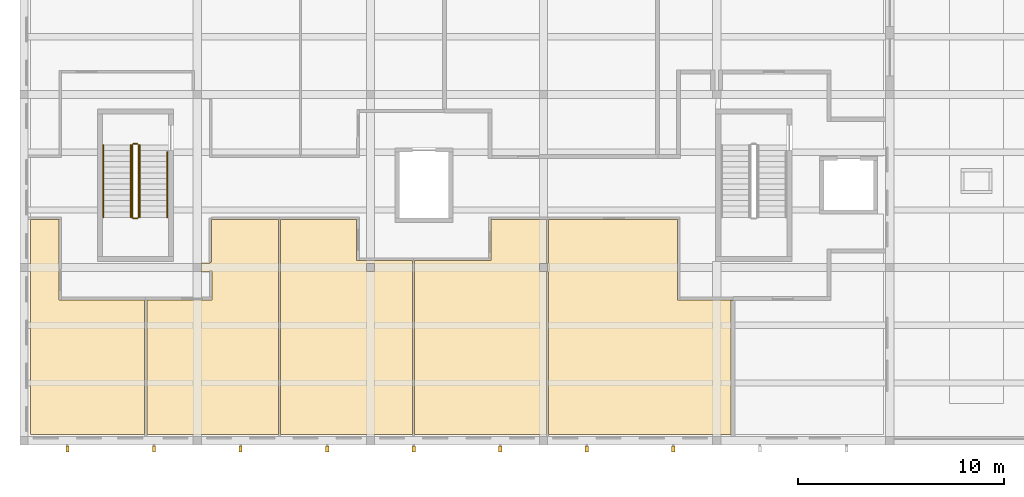
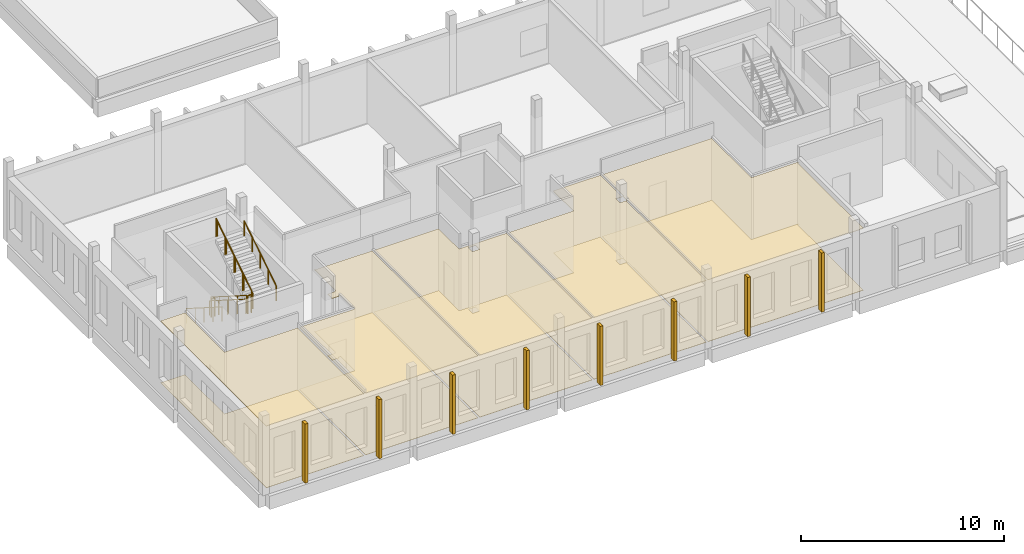
# One storey, part 57 of 79: 18 coverings, 8 railings.
"""IFC4 building model written with IfcOpenShell, lengths in metres."""

from ifc_helpers import new_model, si_unit, direction, frame, origin, origin_2d, place, context, subcontext, project, spatial, polyline, circle, outline, extrude, material, layer, layer_set, type_object, element, save


model = new_model("IFC4")

# Units and contexts
model_context = context("Model", 3, precision=1e-05, world=origin(), true_north=direction((0.0, 1.0)))
body_context = subcontext(model_context, "Body", "Model", "MODEL_VIEW")
ifc_project = project(units=[si_unit("LENGTHUNIT", "METRE"), si_unit("AREAUNIT", "SQUARE_METRE"), si_unit("VOLUMEUNIT", "CUBIC_METRE"), si_unit("PLANEANGLEUNIT", "RADIAN"), si_unit("MASSUNIT", "GRAM", prefix="KILO")], contexts=[model_context])

# Site, building, storey
site_placement = place(None, origin())
site = spatial("IfcSite", under=ifc_project, at=site_placement, CompositionType="ELEMENT")
building_placement = place(site_placement, origin())
building = spatial("IfcBuilding", under=site, at=building_placement, Name="Larchfold Concert Hall", CompositionType="ELEMENT")
storey_placement = place(building_placement, frame((0.0, 0.0, 14.39990234375)))
storey = spatial("IfcBuildingStorey", under=building, at=storey_placement, Name="L03", CompositionType="ELEMENT", Elevation=14.39990234375)

# Coverings
ifc_material_1 = material(Name="Plasterboard ceiling lining")
ifc_layer_1 = layer(ifc_material_1, 0.030029296875)
ifc_layer_set_1 = layer_set([ifc_layer_1], Name="Plasterboard ceiling lining")
covering_type_1 = type_object("IfcCoveringType", Name="Ceiling suspended plasterboard 30", PredefinedType="CEILING", material=ifc_layer_set_1)
covering_1_placement = place(storey_placement, frame((0.0, 0.0, 3.710205078125)))
element("IfcCovering", 1, at=covering_1_placement, inside=storey, type_object=covering_type_1, Name="Ceiling Administration Office 01", PredefinedType="CEILING", context=body_context, shape_type="SweptSolid", body=[
    extrude(outline(polyline([(0.900146484375, 0.900146484375), (6.449951171875, 0.900146484375), (6.449951171875, 7.4375), (2.28759765625, 7.4375), (2.28759765625, 11.33740234375), (0.900146484375, 11.33740234375), (0.900146484375, 0.900146484375)])), origin(), (0.0, 0.0, 1.0), 0.030029296875),
])
covering_2_placement = place(storey_placement, frame((0.0, 0.0, 3.710205078125)))
element("IfcCovering", 2, at=covering_2_placement, inside=storey, type_object=covering_type_1, Name="Ceiling Administration Office 03", PredefinedType="CEILING", context=body_context, shape_type="SweptSolid", body=[
    extrude(outline(polyline([(13.050048828125, 0.900146484375), (19.449951171875, 0.900146484375), (19.449951171875, 9.33740234375), (16.737548828125, 9.33740234375), (16.737548828125, 11.33740234375), (13.050048828125, 11.33740234375), (13.050048828125, 0.900146484375)]), holes=[polyline([(17.599853515625, 9.199951171875), (17.599853515625, 8.800048828125), (17.199951171875, 8.800048828125), (17.199951171875, 9.199951171875), (17.599853515625, 9.199951171875)])]), origin(), (0.0, 0.0, 1.0), 0.030029296875),
])
covering_3_placement = place(storey_placement, frame((0.0, 0.0, 3.710205078125)))
element("IfcCovering", 3, at=covering_3_placement, inside=storey, type_object=covering_type_1, Name="Ceiling Board Room", PredefinedType="CEILING", context=body_context, shape_type="SweptSolid", body=[
    extrude(outline(polyline([(26.0, 8.780029296875), (26.050048828125, 8.780029296875), (26.050048828125, 0.900146484375), (34.89990234375, 0.900146484375), (34.89990234375, 7.39990234375), (35.0, 7.39990234375), (35.0, 7.4375), (32.28759765625, 7.4375), (32.28759765625, 11.33740234375), (26.050048828125, 11.33740234375), (26.050048828125, 9.219970703125), (26.0, 9.219970703125), (26.0, 8.780029296875)])), origin(), (0.0, 0.0, 1.0), 0.030029296875),
])
covering_4_placement = place(storey_placement, frame((0.0, 0.0, 3.710205078125)))
element("IfcCovering", 4, at=covering_4_placement, inside=storey, type_object=covering_type_1, Name="Ceiling Administration Office 02", PredefinedType="CEILING", context=body_context, shape_type="SweptSolid", body=[
    extrude(outline(polyline([(6.550048828125, 0.900146484375), (12.949951171875, 0.900146484375), (12.949951171875, 11.33740234375), (9.68505859375, 11.33740234375), (9.6826171875, 11.39990234375), (9.6826171875, 9.282470703125), (9.61962890625, 9.282470703125), (9.61962890625, 9.219970703125), (9.198486328125, 9.219970703125), (9.167236328125, 9.207763671875), (9.16357421875, 9.199951171875), (9.199951171875, 9.199951171875), (9.199951171875, 8.800048828125), (9.161376953125, 8.800048828125), (9.193603515625, 8.780517578125), (9.58740234375, 8.780029296875), (9.58740234375, 8.842529296875), (9.71240234375, 8.842529296875), (9.71240234375, 7.4375), (6.550048828125, 7.4375), (6.550048828125, 0.900146484375)])), origin(), (0.0, 0.0, 1.0), 0.030029296875),
])
covering_5_placement = place(storey_placement, frame((0.0, 0.0, 3.710205078125)))
element("IfcCovering", 5, at=covering_5_placement, inside=storey, type_object=covering_type_1, Name="Ceiling Administration Office 04", PredefinedType="CEILING", context=body_context, shape_type="SweptSolid", body=[
    extrude(outline(polyline([(26.0, 9.199951171875), (26.0, 9.219970703125), (25.949951171875, 9.219970703125), (25.949951171875, 11.33740234375), (23.262451171875, 11.33740234375), (23.262451171875, 9.33740234375), (19.550048828125, 9.33740234375), (19.550048828125, 0.900146484375), (25.949951171875, 0.900146484375), (25.949951171875, 8.780029296875), (26.0, 8.780029296875), (26.0, 8.800048828125), (25.60009765625, 8.800048828125), (25.60009765625, 9.199951171875), (26.0, 9.199951171875)])), origin(), (0.0, 0.0, 1.0), 0.030029296875),
])
ifc_material_2 = material(Name="Linoleum sheet")
ifc_layer_2 = layer(ifc_material_2, 0.02001953125)
ifc_layer_set_2 = layer_set([ifc_layer_2], Name="Linoleum sheet")
covering_type_2 = type_object("IfcCoveringType", Name="Floor finish vinyl 20", PredefinedType="FLOORING", material=ifc_layer_set_2)
covering_6_placement = place(storey_placement, origin())
element("IfcCovering", 6, at=covering_6_placement, inside=storey, type_object=covering_type_2, Name="Floor finish Administration Office 01", PredefinedType="FLOORING", context=body_context, shape_type="SweptSolid", body=[
    extrude(outline(polyline([(0.900146484375, 0.900146484375), (6.449951171875, 0.900146484375), (6.449951171875, 7.4375), (2.28759765625, 7.4375), (2.28759765625, 11.33740234375), (0.900146484375, 11.33740234375), (0.900146484375, 0.900146484375)])), origin(), (0.0, 0.0, 1.0), 0.02001953125),
])
covering_7_placement = place(storey_placement, origin())
element("IfcCovering", 7, at=covering_7_placement, inside=storey, type_object=covering_type_2, Name="Floor finish Administration Office 03", PredefinedType="FLOORING", context=body_context, shape_type="SweptSolid", body=[
    extrude(outline(polyline([(13.050048828125, 0.900146484375), (19.449951171875, 0.900146484375), (19.449951171875, 9.33740234375), (16.737548828125, 9.33740234375), (16.737548828125, 11.33740234375), (13.050048828125, 11.33740234375), (13.050048828125, 0.900146484375)]), holes=[polyline([(17.599853515625, 9.199951171875), (17.599853515625, 8.800048828125), (17.199951171875, 8.800048828125), (17.199951171875, 9.199951171875), (17.599853515625, 9.199951171875)])]), origin(), (0.0, 0.0, 1.0), 0.02001953125),
])
covering_8_placement = place(storey_placement, origin())
element("IfcCovering", 8, at=covering_8_placement, inside=storey, type_object=covering_type_2, Name="Floor finish Board Room", PredefinedType="FLOORING", context=body_context, shape_type="SweptSolid", body=[
    extrude(outline(polyline([(26.0, 8.780029296875), (26.050048828125, 8.780029296875), (26.050048828125, 0.900146484375), (34.89990234375, 0.900146484375), (34.89990234375, 7.39990234375), (35.0, 7.39990234375), (35.0, 7.4375), (32.28759765625, 7.4375), (32.28759765625, 11.33740234375), (26.050048828125, 11.33740234375), (26.050048828125, 9.219970703125), (26.0, 9.219970703125), (26.0, 8.780029296875)])), origin(), (0.0, 0.0, 1.0), 0.02001953125),
])
covering_9_placement = place(storey_placement, origin())
element("IfcCovering", 9, at=covering_9_placement, inside=storey, type_object=covering_type_2, Name="Floor finish Administration Office 02", PredefinedType="FLOORING", context=body_context, shape_type="SweptSolid", body=[
    extrude(outline(polyline([(6.550048828125, 0.900146484375), (12.949951171875, 0.900146484375), (12.949951171875, 11.33740234375), (9.68505859375, 11.33740234375), (9.6826171875, 11.39990234375), (9.6826171875, 9.282470703125), (9.61962890625, 9.282470703125), (9.61962890625, 9.219970703125), (9.198486328125, 9.219970703125), (9.167236328125, 9.207763671875), (9.16357421875, 9.199951171875), (9.199951171875, 9.199951171875), (9.199951171875, 8.800048828125), (9.161376953125, 8.800048828125), (9.193603515625, 8.780517578125), (9.58740234375, 8.780029296875), (9.58740234375, 8.842529296875), (9.71240234375, 8.842529296875), (9.71240234375, 7.4375), (6.550048828125, 7.4375), (6.550048828125, 0.900146484375)])), origin(), (0.0, 0.0, 1.0), 0.02001953125),
])
covering_10_placement = place(storey_placement, origin())
element("IfcCovering", 10, at=covering_10_placement, inside=storey, type_object=covering_type_2, Name="Floor finish Administration Office 04", PredefinedType="FLOORING", context=body_context, shape_type="SweptSolid", body=[
    extrude(outline(polyline([(26.0, 9.199951171875), (26.0, 9.219970703125), (25.949951171875, 9.219970703125), (25.949951171875, 11.33740234375), (23.262451171875, 11.33740234375), (23.262451171875, 9.33740234375), (19.550048828125, 9.33740234375), (19.550048828125, 0.900146484375), (25.949951171875, 0.900146484375), (25.949951171875, 8.780029296875), (26.0, 8.780029296875), (26.0, 8.800048828125), (25.60009765625, 8.800048828125), (25.60009765625, 9.199951171875), (26.0, 9.199951171875)])), origin(), (0.0, 0.0, 1.0), 0.02001953125),
])
ifc_material_3 = material(Name="Glulam GL30c", Category="wood")
ifc_layer_3 = layer(ifc_material_3, 0.159912109375)
ifc_layer_set_3 = layer_set([ifc_layer_3], Name="Glulam GL30c")
covering_type_3 = type_object("IfcCoveringType", Name="Glulam fin 160x300", PredefinedType="CLADDING", material=ifc_layer_set_3)
covering_11_placement = place(storey_placement, frame((0.0, 0.0, 0.199951171875)))
element("IfcCovering", 11, at=covering_11_placement, inside=storey, type_object=covering_type_3, Name="Glulam fin FN-L03-016", PredefinedType="CLADDING", context=body_context, shape_type="SweptSolid", body=[
    extrude(outline(polyline([(2.780029296875, 0.050048828125), (2.780029296875, 0.35009765625), (2.6201171875, 0.35009765625), (2.6201171875, 0.050048828125), (2.780029296875, 0.050048828125)])), origin(), (0.0, 0.0, 1.0), 3.56005859375),
])
covering_12_placement = place(storey_placement, frame((0.0, 0.0, 0.199951171875)))
element("IfcCovering", 12, at=covering_12_placement, inside=storey, type_object=covering_type_3, Name="Glulam fin FN-L03-017", PredefinedType="CLADDING", context=body_context, shape_type="SweptSolid", body=[
    extrude(outline(polyline([(6.97998046875, 0.050048828125), (6.97998046875, 0.35009765625), (6.820068359375, 0.35009765625), (6.820068359375, 0.050048828125), (6.97998046875, 0.050048828125)])), origin(), (0.0, 0.0, 1.0), 3.56005859375),
])
covering_13_placement = place(storey_placement, frame((0.0, 0.0, 0.199951171875)))
element("IfcCovering", 13, at=covering_13_placement, inside=storey, type_object=covering_type_3, Name="Glulam fin FN-L03-018", PredefinedType="CLADDING", context=body_context, shape_type="SweptSolid", body=[
    extrude(outline(polyline([(11.179931640625, 0.050048828125), (11.179931640625, 0.35009765625), (11.02001953125, 0.35009765625), (11.02001953125, 0.050048828125), (11.179931640625, 0.050048828125)])), origin(), (0.0, 0.0, 1.0), 3.56005859375),
])
covering_14_placement = place(storey_placement, frame((0.0, 0.0, 0.199951171875)))
element("IfcCovering", 14, at=covering_14_placement, inside=storey, type_object=covering_type_3, Name="Glulam fin FN-L03-019", PredefinedType="CLADDING", context=body_context, shape_type="SweptSolid", body=[
    extrude(outline(polyline([(15.3798828125, 0.050048828125), (15.3798828125, 0.35009765625), (15.219970703125, 0.35009765625), (15.219970703125, 0.050048828125), (15.3798828125, 0.050048828125)])), origin(), (0.0, 0.0, 1.0), 3.56005859375),
])
covering_15_placement = place(storey_placement, frame((0.0, 0.0, 0.199951171875)))
element("IfcCovering", 15, at=covering_15_placement, inside=storey, type_object=covering_type_3, Name="Glulam fin FN-L03-020", PredefinedType="CLADDING", context=body_context, shape_type="SweptSolid", body=[
    extrude(outline(polyline([(19.580078125, 0.050048828125), (19.580078125, 0.35009765625), (19.419921875, 0.35009765625), (19.419921875, 0.050048828125), (19.580078125, 0.050048828125)])), origin(), (0.0, 0.0, 1.0), 3.56005859375),
])
covering_16_placement = place(storey_placement, frame((0.0, 0.0, 0.199951171875)))
element("IfcCovering", 16, at=covering_16_placement, inside=storey, type_object=covering_type_3, Name="Glulam fin FN-L03-021", PredefinedType="CLADDING", context=body_context, shape_type="SweptSolid", body=[
    extrude(outline(polyline([(23.780029296875, 0.050048828125), (23.780029296875, 0.35009765625), (23.6201171875, 0.35009765625), (23.6201171875, 0.050048828125), (23.780029296875, 0.050048828125)])), origin(), (0.0, 0.0, 1.0), 3.56005859375),
])
covering_17_placement = place(storey_placement, frame((0.0, 0.0, 0.199951171875)))
element("IfcCovering", 17, at=covering_17_placement, inside=storey, type_object=covering_type_3, Name="Glulam fin FN-L03-022", PredefinedType="CLADDING", context=body_context, shape_type="SweptSolid", body=[
    extrude(outline(polyline([(27.97998046875, 0.050048828125), (27.97998046875, 0.35009765625), (27.820068359375, 0.35009765625), (27.820068359375, 0.050048828125), (27.97998046875, 0.050048828125)])), origin(), (0.0, 0.0, 1.0), 3.56005859375),
])
covering_18_placement = place(storey_placement, frame((0.0, 0.0, 0.199951171875)))
element("IfcCovering", 18, at=covering_18_placement, inside=storey, type_object=covering_type_3, Name="Glulam fin FN-L03-023", PredefinedType="CLADDING", context=body_context, shape_type="SweptSolid", body=[
    extrude(outline(polyline([(32.179931640625, 0.050048828125), (32.179931640625, 0.35009765625), (32.02001953125, 0.35009765625), (32.02001953125, 0.050048828125), (32.179931640625, 0.050048828125)])), origin(), (0.0, 0.0, 1.0), 3.56005859375),
])

# Railings
ifc_material_4 = material(Name="Stainless steel balustrade", Category="steel")
railing_type_1 = type_object("IfcRailingType", Name="Stair guard 1100", PredefinedType="GUARDRAIL", material=ifc_material_4)
railing_1_placement = place(storey_placement, frame((5.849853515625, 14.949951171875, 0.171630859375)))
element("IfcRailing", 19, at=railing_1_placement, inside=storey, type_object=railing_type_1, Name="Guard GR0068", PredefinedType="GUARDRAIL", context=body_context, shape_type="SweptSolid", body=[
    extrude(circle(Radius=0.02392578125, at=origin_2d()), frame((0.0, 0.0, 1.076171875), z_axis=(0.0, -0.844219563411, 0.53599750816), x_axis=(1.0, 0.0, 0.0)), (0.0, 0.0, 1.0), 4.15771484375),
    extrude(circle(Radius=0.02099609375, at=origin_2d()), origin(), (0.0, 0.0, 1.0), 1.052001953125),
    extrude(circle(Radius=0.02099609375, at=origin_2d()), frame((0.0, -0.87744140625, 0.55712890625)), (0.0, 0.0, 1.0), 1.052001953125),
    extrude(circle(Radius=0.02099609375, at=origin_2d()), frame((0.0, -1.7548828125, 1.1142578125)), (0.0, 0.0, 1.0), 1.052001953125),
    extrude(circle(Radius=0.02099609375, at=origin_2d()), frame((0.0, -2.632568359375, 1.67138671875)), (0.0, 0.0, 1.0), 1.052001953125),
    extrude(circle(Radius=0.02099609375, at=origin_2d()), frame((0.0, -3.510009765625, 2.228515625)), (0.0, 0.0, 1.0), 1.052001953125),
])
railing_2_placement = place(storey_placement, frame((5.89990234375, 11.389892578125, 2.400146484375)))
element("IfcRailing", 20, at=railing_2_placement, inside=storey, type_object=railing_type_1, Name="Guard GR0069", PredefinedType="GUARDRAIL", context=body_context, shape_type="SweptSolid", body=[
    extrude(circle(Radius=0.02392578125, at=origin_2d()), frame((0.0, 0.0, 1.076171875), z_axis=(1.0, 0.0, 0.0), x_axis=(0.0, 1.0, 0.0)), (0.0, 0.0, 1.0), 0.199951171875),
    extrude(circle(Radius=0.02099609375, at=origin_2d()), origin(), (0.0, 0.0, 1.0), 1.052001953125),
    extrude(circle(Radius=0.02099609375, at=origin_2d()), frame((0.199951171875, 0.0, 0.0)), (0.0, 0.0, 1.0), 1.052001953125),
])
railing_3_placement = place(storey_placement, frame((6.14990234375, 11.43994140625, 2.571533203125)))
element("IfcRailing", 21, at=railing_3_placement, inside=storey, type_object=railing_type_1, Name="Guard GR0070", PredefinedType="GUARDRAIL", context=body_context, shape_type="SweptSolid", body=[
    extrude(circle(Radius=0.02392578125, at=origin_2d()), frame((0.0, 0.0, 1.076171875), z_axis=(0.0, 0.844219563411, 0.53599750816), x_axis=(-1.0, 0.0, 0.0)), (0.0, 0.0, 1.0), 4.15771484375),
    extrude(circle(Radius=0.02099609375, at=origin_2d()), origin(), (0.0, 0.0, 1.0), 1.052001953125),
    extrude(circle(Radius=0.02099609375, at=origin_2d()), frame((0.0, 0.87744140625, 0.55712890625)), (0.0, 0.0, 1.0), 1.052001953125),
    extrude(circle(Radius=0.02099609375, at=origin_2d()), frame((0.0, 1.7548828125, 1.1142578125)), (0.0, 0.0, 1.0), 1.052001953125),
    extrude(circle(Radius=0.02099609375, at=origin_2d()), frame((0.0, 2.632568359375, 1.67138671875)), (0.0, 0.0, 1.0), 1.052001953125),
    extrude(circle(Radius=0.02099609375, at=origin_2d()), frame((0.0, 3.510009765625, 2.228515625)), (0.0, 0.0, 1.0), 1.052001953125),
])
railing_4_placement = place(storey_placement, frame((5.89990234375, 15.0, 0.0)))
element("IfcRailing", 22, at=railing_4_placement, inside=storey, type_object=railing_type_1, Name="Guard GR0071", PredefinedType="GUARDRAIL", context=body_context, shape_type="SweptSolid", body=[
    extrude(circle(Radius=0.02392578125, at=origin_2d()), frame((0.0, 0.0, 1.076171875), z_axis=(1.0, 0.0, 0.0), x_axis=(0.0, 1.0, 0.0)), (0.0, 0.0, 1.0), 0.199951171875),
    extrude(circle(Radius=0.02099609375, at=origin_2d()), origin(), (0.0, 0.0, 1.0), 1.052001953125),
    extrude(circle(Radius=0.02099609375, at=origin_2d()), frame((0.199951171875, 0.0, 0.0)), (0.0, 0.0, 1.0), 1.052001953125),
])
ifc_material_5 = material(Name="Stainless steel handrail", Category="steel")
railing_type_2 = type_object("IfcRailingType", Name="Stair handrail 900", PredefinedType="HANDRAIL", material=ifc_material_5)
railing_5_placement = place(storey_placement, frame((4.449951171875, 14.949951171875, 0.171630859375)))
element("IfcRailing", 23, at=railing_5_placement, inside=storey, type_object=railing_type_2, Name="Handrail HR0061", PredefinedType="HANDRAIL", context=body_context, shape_type="SweptSolid", body=[
    extrude(circle(Radius=0.02392578125, at=origin_2d()), frame((0.0, 0.0, 0.8759765625), z_axis=(0.0, -0.844219563411, 0.53599750816), x_axis=(1.0, 0.0, 0.0)), (0.0, 0.0, 1.0), 4.15771484375),
    extrude(circle(Radius=0.02099609375, at=origin_2d()), origin(), (0.0, 0.0, 1.0), 0.851806640625),
    extrude(circle(Radius=0.02099609375, at=origin_2d()), frame((0.0, -0.87744140625, 0.55712890625)), (0.0, 0.0, 1.0), 0.851806640625),
    extrude(circle(Radius=0.02099609375, at=origin_2d()), frame((0.0, -1.7548828125, 1.1142578125)), (0.0, 0.0, 1.0), 0.851806640625),
    extrude(circle(Radius=0.02099609375, at=origin_2d()), frame((0.0, -2.632568359375, 1.67138671875)), (0.0, 0.0, 1.0), 0.851806640625),
    extrude(circle(Radius=0.02099609375, at=origin_2d()), frame((0.0, -3.510009765625, 2.228515625)), (0.0, 0.0, 1.0), 0.851806640625),
])
railing_6_placement = place(storey_placement, frame((7.5498046875, 11.43994140625, 2.571533203125)))
element("IfcRailing", 24, at=railing_6_placement, inside=storey, type_object=railing_type_2, Name="Handrail HR0062", PredefinedType="HANDRAIL", context=body_context, shape_type="SweptSolid", body=[
    extrude(circle(Radius=0.02392578125, at=origin_2d()), frame((0.0, 0.0, 0.8759765625), z_axis=(0.0, 0.844224994989, 0.535988953092), x_axis=(-1.0, 0.0, 0.0)), (0.0, 0.0, 1.0), 3.7431640625),
    extrude(circle(Radius=0.02099609375, at=origin_2d()), origin(), (0.0, 0.0, 1.0), 0.851806640625),
    extrude(circle(Radius=0.02099609375, at=origin_2d()), frame((0.0, 0.7900390625, 0.50146484375)), (0.0, 0.0, 1.0), 0.851806640625),
    extrude(circle(Radius=0.02099609375, at=origin_2d()), frame((0.0, 1.580078125, 1.003173828125)), (0.0, 0.0, 1.0), 0.851806640625),
    extrude(circle(Radius=0.02099609375, at=origin_2d()), frame((0.0, 2.3701171875, 1.5048828125)), (0.0, 0.0, 1.0), 0.851806640625),
    extrude(circle(Radius=0.02099609375, at=origin_2d()), frame((0.0, 3.16015625, 2.00634765625)), (0.0, 0.0, 1.0), 0.851806640625),
])
railing_7_placement = place(storey_placement, frame((5.77978515625, 14.949951171875, 0.171630859375)))
element("IfcRailing", 25, at=railing_7_placement, inside=storey, type_object=railing_type_2, Name="Handrail HR0063", PredefinedType="HANDRAIL", context=body_context, shape_type="SweptSolid", body=[
    extrude(circle(Radius=0.02392578125, at=origin_2d()), frame((0.0, 0.0, 0.8759765625), z_axis=(0.0, -0.844219563411, 0.53599750816), x_axis=(1.0, 0.0, 0.0)), (0.0, 0.0, 1.0), 4.15771484375),
    extrude(circle(Radius=0.02099609375, at=origin_2d()), origin(), (0.0, 0.0, 1.0), 0.851806640625),
    extrude(circle(Radius=0.02099609375, at=origin_2d()), frame((0.0, -0.87744140625, 0.55712890625)), (0.0, 0.0, 1.0), 0.851806640625),
    extrude(circle(Radius=0.02099609375, at=origin_2d()), frame((0.0, -1.7548828125, 1.1142578125)), (0.0, 0.0, 1.0), 0.851806640625),
    extrude(circle(Radius=0.02099609375, at=origin_2d()), frame((0.0, -2.632568359375, 1.67138671875)), (0.0, 0.0, 1.0), 0.851806640625),
    extrude(circle(Radius=0.02099609375, at=origin_2d()), frame((0.0, -3.510009765625, 2.228515625)), (0.0, 0.0, 1.0), 0.851806640625),
])
railing_8_placement = place(storey_placement, frame((6.219970703125, 11.43994140625, 2.571533203125)))
element("IfcRailing", 26, at=railing_8_placement, inside=storey, type_object=railing_type_2, Name="Handrail HR0064", PredefinedType="HANDRAIL", context=body_context, shape_type="SweptSolid", body=[
    extrude(circle(Radius=0.02392578125, at=origin_2d()), frame((0.0, 0.0, 0.8759765625), z_axis=(0.0, 0.844219563411, 0.53599750816), x_axis=(-1.0, 0.0, 0.0)), (0.0, 0.0, 1.0), 4.15771484375),
    extrude(circle(Radius=0.02099609375, at=origin_2d()), origin(), (0.0, 0.0, 1.0), 0.851806640625),
    extrude(circle(Radius=0.02099609375, at=origin_2d()), frame((0.0, 0.87744140625, 0.55712890625)), (0.0, 0.0, 1.0), 0.851806640625),
    extrude(circle(Radius=0.02099609375, at=origin_2d()), frame((0.0, 1.7548828125, 1.1142578125)), (0.0, 0.0, 1.0), 0.851806640625),
    extrude(circle(Radius=0.02099609375, at=origin_2d()), frame((0.0, 2.632568359375, 1.67138671875)), (0.0, 0.0, 1.0), 0.851806640625),
    extrude(circle(Radius=0.02099609375, at=origin_2d()), frame((0.0, 3.510009765625, 2.228515625)), (0.0, 0.0, 1.0), 0.851806640625),
])

save(model, "model.ifc")
